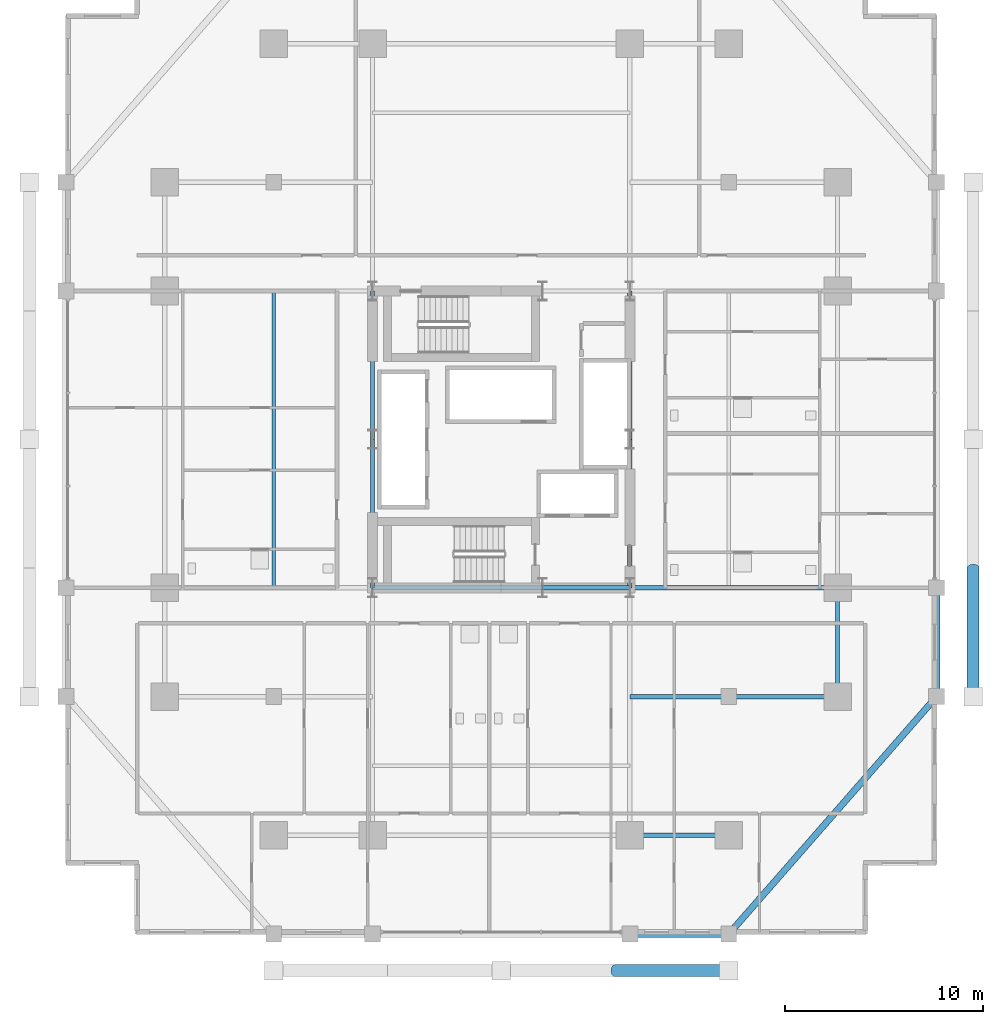
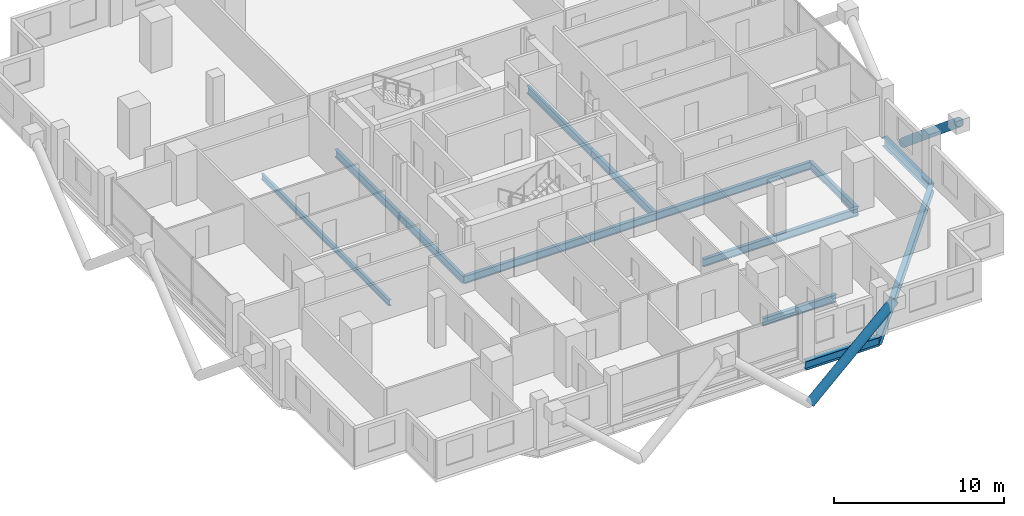
# One storey, part 7 of 23: 15 beams, 2 members.
"""IFC4 building model written with IfcOpenShell, lengths in metres."""

from ifc_helpers import new_model, si_unit, direction, frame, origin, origin_2d, place, context, subcontext, project, spatial, hollow_circle, i_section, extrude, material, material_profile, profile_set, type_object, element, save


model = new_model("IFC4")

# Units and contexts
model_context = context("Model", 3, precision=1e-05, world=origin(), true_north=direction((0.0, 1.0)))
body_context = subcontext(model_context, "Body", "Model", "MODEL_VIEW")
ifc_project = project(units=[si_unit("LENGTHUNIT", "METRE"), si_unit("AREAUNIT", "SQUARE_METRE"), si_unit("VOLUMEUNIT", "CUBIC_METRE"), si_unit("PLANEANGLEUNIT", "RADIAN"), si_unit("MASSUNIT", "GRAM", prefix="KILO")], contexts=[model_context])

# Site, building, storey
site_placement = place(None, origin())
site = spatial("IfcSite", under=ifc_project, at=site_placement, CompositionType="ELEMENT")
building_placement = place(site_placement, origin())
building = spatial("IfcBuilding", under=site, at=building_placement, Name="Barlavira Tower and Art Museum", CompositionType="ELEMENT")
storey_placement = place(building_placement, frame((0.0, 0.0, 68.39990234375)))
storey = spatial("IfcBuildingStorey", under=building, at=storey_placement, Name="L16", CompositionType="ELEMENT", Elevation=68.39990234375)

# Members
ifc_material = material(Name="Steel S355", Category="steel")
ifc_material_profile_1 = material_profile(ifc_material, hollow_circle(Radius=0.304931640625, WallThickness=0.028076171875, at=origin_2d()), Name="CHS 610.0x28.0")
ifc_profile_set_1 = profile_set([ifc_material_profile_1], Name="Steel S355")
member_type = type_object("IfcMemberType", Name="Pale-Metal Exoskeleton Diagrid Tube CHS 610x28 Steel S355", PredefinedType="BRACE", material=ifc_profile_set_1)
member_1_placement = place(storey_placement, frame((5.75, -26.85009765625, -1.919921875), z_axis=(0.728950095515, 0.0, 0.684566839869), x_axis=(0.0, 1.0, 0.0)))
element("IfcMember", 1, at=member_1_placement, inside=storey, type_object=member_type, Name="L16 Exoskeleton Diagrid Tube S", PredefinedType="BRACE", context=body_context, shape_type="SweptSolid", body=[
    extrude(hollow_circle(Radius=0.304931640625, WallThickness=0.028076171875, at=origin_2d()), origin(), (0.0, 0.0, 1.0), 7.887939453125),
])
member_2_placement = place(storey_placement, frame((23.85009765625, -6.5, -1.919921875), z_axis=(0.0, -0.769196053329, 0.639012857104), x_axis=(1.0, 0.0, 0.0)))
element("IfcMember", 2, at=member_2_placement, inside=storey, type_object=member_type, Name="L16 Exoskeleton Diagrid Tube E", PredefinedType="BRACE", context=body_context, shape_type="SweptSolid", body=[
    extrude(hollow_circle(Radius=0.304931640625, WallThickness=0.028076171875, at=origin_2d()), origin(), (0.0, 0.0, 1.0), 8.450439453125),
])

# Beams
ifc_material_profile_2 = material_profile(ifc_material, i_section(OverallWidth=0.327880859375, OverallDepth=0.62890625, WebThickness=0.013916015625, FlangeThickness=0.021484375, at=origin_2d()), Name="W610x174.0")
ifc_profile_set_2 = profile_set([ifc_material_profile_2], Name="Steel S355")
beam_type_1 = type_object("IfcBeamType", Name="Perimeter Spandrel Edge Beam W610x174 Steel S355", PredefinedType="SPANDREL", material=ifc_profile_set_2)
beam_1_placement = place(storey_placement, frame((6.5, -25.0, -0.534423828125), z_axis=(1.0, 0.0, 0.0), x_axis=(0.0, 1.0, 0.0)))
element("IfcBeam", 3, at=beam_1_placement, inside=storey, type_object=beam_type_1, Name="L16 Spandrel 3", PredefinedType="SPANDREL", context=body_context, shape_type="SweptSolid", body=[
    extrude(i_section(OverallWidth=0.327880859375, OverallDepth=0.62890625, WebThickness=0.013916015625, FlangeThickness=0.021484375, at=origin_2d()), origin(), (0.0, 0.0, 1.0), 5.0),
])
beam_2_placement = place(storey_placement, frame((11.5, -25.0, -0.534423828125), z_axis=(0.658504607869, 0.752576694707, 0.0), x_axis=(-0.752576694707, 0.658504607869, 0.0)))
element("IfcBeam", 4, at=beam_2_placement, inside=storey, type_object=beam_type_1, Name="L16 Spandrel 4", PredefinedType="SPANDREL", context=body_context, shape_type="SweptSolid", body=[
    extrude(i_section(OverallWidth=0.327880859375, OverallDepth=0.62890625, WebThickness=0.013916015625, FlangeThickness=0.021484375, at=origin_2d()), origin(), (0.0, 0.0, 1.0), 15.9453125),
])
beam_3_placement = place(storey_placement, frame((22.0, -13.0, -0.534423828125), z_axis=(0.0, 1.0, 0.0), x_axis=(-1.0, 0.0, 0.0)))
element("IfcBeam", 5, at=beam_3_placement, inside=storey, type_object=beam_type_1, Name="L16 Spandrel 5", PredefinedType="SPANDREL", context=body_context, shape_type="SweptSolid", body=[
    extrude(i_section(OverallWidth=0.327880859375, OverallDepth=0.62890625, WebThickness=0.013916015625, FlangeThickness=0.021484375, at=origin_2d()), origin(), (0.0, 0.0, 1.0), 5.5),
])
ifc_material_profile_3 = material_profile(ifc_material, i_section(OverallWidth=0.180908203125, OverallDepth=0.4169921875, WebThickness=0.010986328125, FlangeThickness=0.018310546875, at=origin_2d()), Name="W410x85.0")
ifc_profile_set_3 = profile_set([ifc_material_profile_3], Name="Steel S355")
beam_type_2 = type_object("IfcBeamType", Name="Zone 1 Composite Floor Joist W410x85 Steel S355", PredefinedType="JOIST", material=ifc_profile_set_3)
beam_4_placement = place(storey_placement, frame((-11.5, -7.5, -0.428466796875), z_axis=(0.0, 1.0, 0.0), x_axis=(-1.0, 0.0, 0.0)))
element("IfcBeam", 6, at=beam_4_placement, inside=storey, type_object=beam_type_2, Name="L16 Joist W1", PredefinedType="JOIST", context=body_context, shape_type="SweptSolid", body=[
    extrude(i_section(OverallWidth=0.180908203125, OverallDepth=0.4169921875, WebThickness=0.010986328125, FlangeThickness=0.018310546875, at=origin_2d()), origin(), (0.0, 0.0, 1.0), 15.0),
])
ifc_material_profile_4 = material_profile(ifc_material, i_section(OverallWidth=0.214111328125, OverallDepth=0.549072265625, WebThickness=0.0146484375, FlangeThickness=0.023681640625, at=origin_2d()), Name="W530x138.0")
ifc_profile_set_4 = profile_set([ifc_material_profile_4], Name="Steel S355")
beam_type_3 = type_object("IfcBeamType", Name="Zone 1 Primary Floor Girder W530x138 Steel S355", PredefinedType="BEAM", material=ifc_profile_set_4)
beam_5_placement = place(storey_placement, frame((-6.5, -7.5, -0.494384765625), z_axis=(1.0, 0.0, 0.0), x_axis=(0.0, 1.0, 0.0)))
element("IfcBeam", 7, at=beam_5_placement, inside=storey, type_object=beam_type_3, Name="L16 Girder C-S1", PredefinedType="BEAM", context=body_context, shape_type="SweptSolid", body=[
    extrude(i_section(OverallWidth=0.214111328125, OverallDepth=0.549072265625, WebThickness=0.0146484375, FlangeThickness=0.023681640625, at=origin_2d()), origin(), (0.0, 0.0, 1.0), 8.580078125),
])
beam_6_placement = place(storey_placement, frame((2.080078125, -7.5, -0.494384765625), z_axis=(1.0, 0.0, 0.0), x_axis=(0.0, 1.0, 0.0)))
element("IfcBeam", 8, at=beam_6_placement, inside=storey, type_object=beam_type_3, Name="L16 Girder C-S2", PredefinedType="BEAM", context=body_context, shape_type="SweptSolid", body=[
    extrude(i_section(OverallWidth=0.214111328125, OverallDepth=0.549072265625, WebThickness=0.0146484375, FlangeThickness=0.023681640625, at=origin_2d()), origin(), (0.0, 0.0, 1.0), 4.419921875),
])
for number, where, z_axis, x_axis, name in (
    (9, (-6.5, -7.5, -0.494384765625), (0.0, 1.0, 0.0), (-1.0, 0.0, 0.0), "L16 Girder C-W1"),
    (10, (-6.5, 0.0, -0.494384765625), (0.0, 1.0, 0.0), (-1.0, 0.0, 0.0), "L16 Girder C-W2"),
    (11, (6.5, -7.5, -0.494384765625), (0.0, 1.0, 0.0), (-1.0, 0.0, 0.0), "L16 Girder C-E1"),
    (12, (6.5, 0.0, -0.494384765625), (0.0, 1.0, 0.0), (-1.0, 0.0, 0.0), "L16 Girder C-E2"),
):
    element("IfcBeam", number, at=place(storey_placement, frame(where, z_axis=z_axis, x_axis=x_axis)), inside=storey, type_object=beam_type_3, Name=name, PredefinedType="BEAM", context=body_context, shape_type="SweptSolid", body=[
        extrude(i_section(OverallWidth=0.214111328125, OverallDepth=0.549072265625, WebThickness=0.0146484375, FlangeThickness=0.023681640625, at=origin_2d()), origin(), (0.0, 0.0, 1.0), 7.5),
    ])
beam_7_placement = place(storey_placement, frame((6.5, -20.0, -0.494384765625), z_axis=(1.0, 0.0, 0.0), x_axis=(0.0, 1.0, 0.0)))
element("IfcBeam", 13, at=beam_7_placement, inside=storey, type_object=beam_type_3, Name="L16 Girder M-S3", PredefinedType="BEAM", context=body_context, shape_type="SweptSolid", body=[
    extrude(i_section(OverallWidth=0.214111328125, OverallDepth=0.549072265625, WebThickness=0.0146484375, FlangeThickness=0.023681640625, at=origin_2d()), origin(), (0.0, 0.0, 1.0), 5.0),
])
beam_8_placement = place(storey_placement, frame((17.0, -13.0, -0.494384765625), z_axis=(0.0, 1.0, 0.0), x_axis=(-1.0, 0.0, 0.0)))
element("IfcBeam", 14, at=beam_8_placement, inside=storey, type_object=beam_type_3, Name="L16 Girder M-E1", PredefinedType="BEAM", context=body_context, shape_type="SweptSolid", body=[
    extrude(i_section(OverallWidth=0.214111328125, OverallDepth=0.549072265625, WebThickness=0.0146484375, FlangeThickness=0.023681640625, at=origin_2d()), origin(), (0.0, 0.0, 1.0), 5.5),
])
beam_9_placement = place(storey_placement, frame((6.5, -7.5, -0.494384765625), z_axis=(1.0, 0.0, 0.0), x_axis=(0.0, 1.0, 0.0)))
element("IfcBeam", 15, at=beam_9_placement, inside=storey, type_object=beam_type_3, Name="L16 Girder R-E1", PredefinedType="BEAM", context=body_context, shape_type="SweptSolid", body=[
    extrude(i_section(OverallWidth=0.214111328125, OverallDepth=0.549072265625, WebThickness=0.0146484375, FlangeThickness=0.023681640625, at=origin_2d()), origin(), (0.0, 0.0, 1.0), 10.5),
])
beam_10_placement = place(storey_placement, frame((6.5, -13.0, -0.494384765625), z_axis=(1.0, 0.0, 0.0), x_axis=(0.0, 1.0, 0.0)))
element("IfcBeam", 16, at=beam_10_placement, inside=storey, type_object=beam_type_3, Name="L16 Girder I-S3", PredefinedType="BEAM", context=body_context, shape_type="SweptSolid", body=[
    extrude(i_section(OverallWidth=0.214111328125, OverallDepth=0.549072265625, WebThickness=0.0146484375, FlangeThickness=0.023681640625, at=origin_2d()), origin(), (0.0, 0.0, 1.0), 5.0),
])
beam_11_placement = place(storey_placement, frame((11.5, -13.0, -0.494384765625), z_axis=(1.0, 0.0, 0.0), x_axis=(0.0, 1.0, 0.0)))
element("IfcBeam", 17, at=beam_11_placement, inside=storey, type_object=beam_type_3, Name="L16 Girder I-S4", PredefinedType="BEAM", context=body_context, shape_type="SweptSolid", body=[
    extrude(i_section(OverallWidth=0.214111328125, OverallDepth=0.549072265625, WebThickness=0.0146484375, FlangeThickness=0.023681640625, at=origin_2d()), origin(), (0.0, 0.0, 1.0), 5.5),
])

save(model, "model.ifc")
